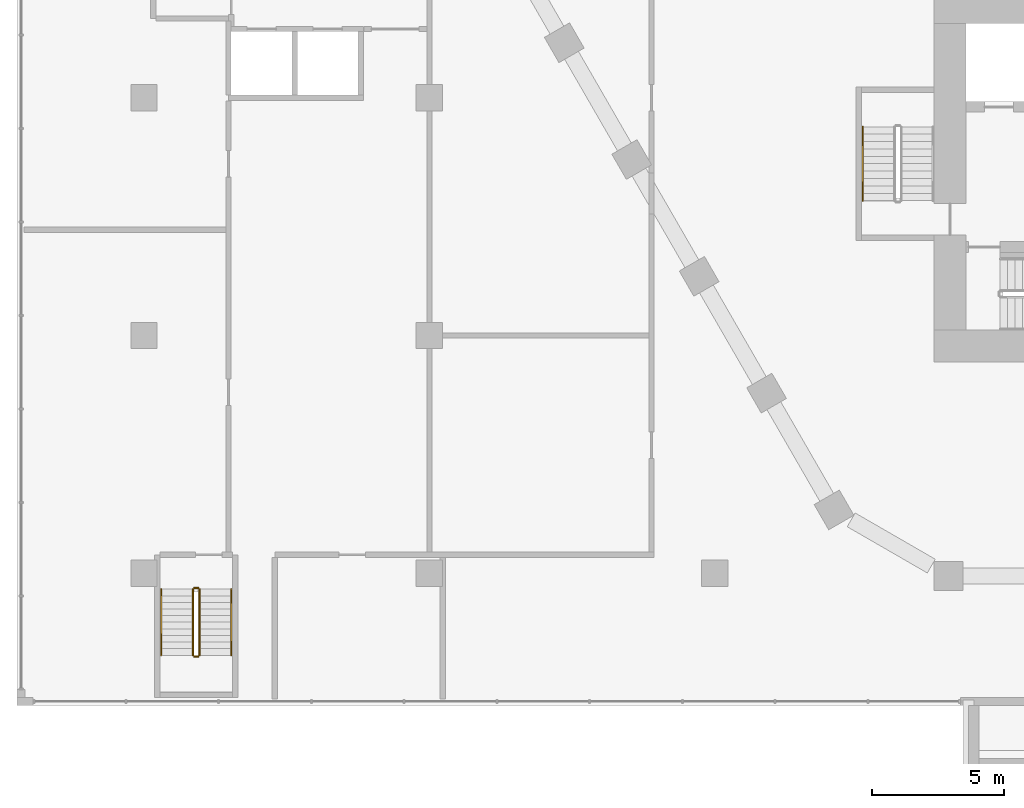
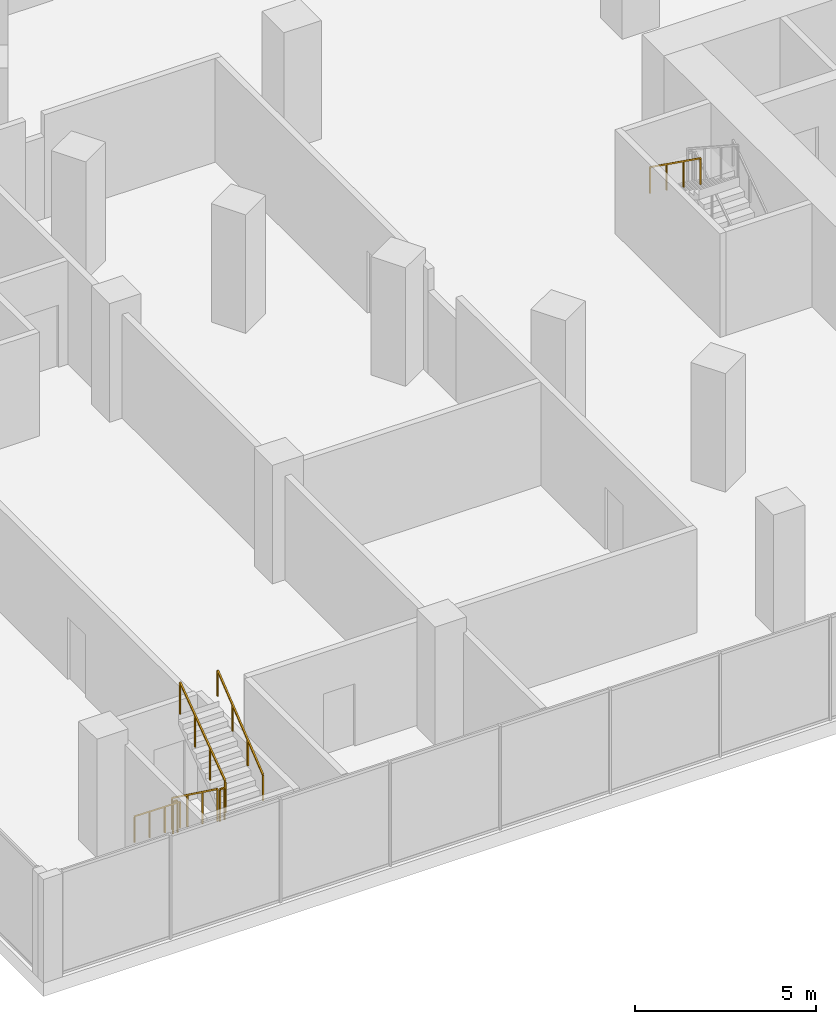
# One storey, part 39 of 45: 7 railings.
"""IFC4 building model written with IfcOpenShell, lengths in metres."""

from ifc_helpers import new_model, si_unit, direction, frame, origin, origin_2d, place, context, subcontext, project, spatial, rectangle, extrude, material, type_object, element, save


model = new_model("IFC4")

# Units and contexts
model_context = context("Model", 3, precision=1e-05, world=origin(), true_north=direction((0.0, 1.0)))
body_context = subcontext(model_context, "Body", "Model", "MODEL_VIEW")
ifc_project = project(units=[si_unit("LENGTHUNIT", "METRE"), si_unit("AREAUNIT", "SQUARE_METRE"), si_unit("VOLUMEUNIT", "CUBIC_METRE"), si_unit("PLANEANGLEUNIT", "RADIAN"), si_unit("MASSUNIT", "GRAM", prefix="KILO")], contexts=[model_context])

# Site, building, storey
site_placement = place(None, origin())
site = spatial("IfcSite", under=ifc_project, at=site_placement, CompositionType="ELEMENT")
building_placement = place(site_placement, origin())
building = spatial("IfcBuilding", under=site, at=building_placement, Name="Beryl Residences", CompositionType="ELEMENT")
storey_placement = place(building_placement, frame((0.0, 0.0, 5.0)))
storey = spatial("IfcBuildingStorey", under=building, at=storey_placement, Name="L01", CompositionType="ELEMENT", Elevation=5.0)

# Railings
ifc_material_1 = material(Name="Stainless steel balustrade with glass infill", Category="steel")
railing_type_1 = type_object("IfcRailingType", Name="SG1 stair guard 1100 mm", PredefinedType="GUARDRAIL", material=ifc_material_1)
railing_1_placement = place(storey_placement, frame((-41.35009765625, -27.60009765625, 0.181884765625)))
element("IfcRailing", 1, at=railing_1_placement, inside=storey, type_object=railing_type_1, Name="L01 PS-4 stair guard 1", PredefinedType="GUARDRAIL", context=body_context, shape_type="SweptSolid", body=[
    extrude(rectangle(XDim=0.048095703125, YDim=0.048095703125, at=origin_2d()), frame((0.0, 0.0, 1.076171875), z_axis=(0.0, -0.808746330122, 0.588157609416), x_axis=(1.0, 0.0, 0.0)), (0.0, 0.0, 1.0), 3.09130859375),
    extrude(rectangle(XDim=0.0419921875, YDim=0.0419921875, at=origin_2d()), origin(), (0.0, 0.0, 1.0), 1.052001953125),
    extrude(rectangle(XDim=0.0419921875, YDim=0.0419921875, at=origin_2d()), frame((0.0, -0.833251953125, 0.60595703125)), (0.0, 0.0, 1.0), 1.052001953125),
    extrude(rectangle(XDim=0.0419921875, YDim=0.0419921875, at=origin_2d()), frame((0.0, -1.666748046875, 1.212158203125)), (0.0, 0.0, 1.0), 1.052001953125),
    extrude(rectangle(XDim=0.0419921875, YDim=0.0419921875, at=origin_2d()), frame((0.0, -2.5, 1.818115234375)), (0.0, 0.0, 1.0), 1.052001953125),
])
railing_2_placement = place(storey_placement, frame((-41.300048828125, -30.14990234375, 2.0)))
element("IfcRailing", 2, at=railing_2_placement, inside=storey, type_object=railing_type_1, Name="L01 PS-4 stair guard 2", PredefinedType="GUARDRAIL", context=body_context, shape_type="SweptSolid", body=[
    extrude(rectangle(XDim=0.048095703125, YDim=0.048095703125, at=origin_2d()), frame((0.0, 0.0, 1.076171875), z_axis=(1.0, 0.0, 0.0), x_axis=(0.0, 1.0, 0.0)), (0.0, 0.0, 1.0), 0.150146484375),
    extrude(rectangle(XDim=0.0419921875, YDim=0.0419921875, at=origin_2d()), origin(), (0.0, 0.0, 1.0), 1.052001953125),
    extrude(rectangle(XDim=0.0419921875, YDim=0.0419921875, at=origin_2d()), frame((0.150146484375, 0.0, 0.0)), (0.0, 0.0, 1.0), 1.052001953125),
])
railing_3_placement = place(storey_placement, frame((-41.10009765625, -30.10009765625, 2.181884765625)))
element("IfcRailing", 3, at=railing_3_placement, inside=storey, type_object=railing_type_1, Name="L01 PS-4 stair guard 3", PredefinedType="GUARDRAIL", context=body_context, shape_type="SweptSolid", body=[
    extrude(rectangle(XDim=0.048095703125, YDim=0.048095703125, at=origin_2d()), frame((0.0, 0.0, 1.076171875), z_axis=(0.0, 0.808746330122, 0.588157609416), x_axis=(-1.0, 0.0, 0.0)), (0.0, 0.0, 1.0), 3.09130859375),
    extrude(rectangle(XDim=0.0419921875, YDim=0.0419921875, at=origin_2d()), origin(), (0.0, 0.0, 1.0), 1.052001953125),
    extrude(rectangle(XDim=0.0419921875, YDim=0.0419921875, at=origin_2d()), frame((0.0, 0.833251953125, 0.60595703125)), (0.0, 0.0, 1.0), 1.052001953125),
    extrude(rectangle(XDim=0.0419921875, YDim=0.0419921875, at=origin_2d()), frame((0.0, 1.666748046875, 1.212158203125)), (0.0, 0.0, 1.0), 1.052001953125),
    extrude(rectangle(XDim=0.0419921875, YDim=0.0419921875, at=origin_2d()), frame((0.0, 2.5, 1.818115234375)), (0.0, 0.0, 1.0), 1.052001953125),
])
railing_4_placement = place(storey_placement, frame((-41.300048828125, -27.550048828125, 0.0)))
element("IfcRailing", 4, at=railing_4_placement, inside=storey, type_object=railing_type_1, Name="L01 PS-4 stair guard 4", PredefinedType="GUARDRAIL", context=body_context, shape_type="SweptSolid", body=[
    extrude(rectangle(XDim=0.048095703125, YDim=0.048095703125, at=origin_2d()), frame((0.0, 0.0, 1.076171875), z_axis=(1.0, 0.0, 0.0), x_axis=(0.0, 1.0, 0.0)), (0.0, 0.0, 1.0), 0.150146484375),
    extrude(rectangle(XDim=0.0419921875, YDim=0.0419921875, at=origin_2d()), origin(), (0.0, 0.0, 1.0), 1.052001953125),
    extrude(rectangle(XDim=0.0419921875, YDim=0.0419921875, at=origin_2d()), frame((0.150146484375, 0.0, 0.0)), (0.0, 0.0, 1.0), 1.052001953125),
])
ifc_material_2 = material(Name="Stainless steel handrail", Category="steel")
railing_type_2 = type_object("IfcRailingType", Name="SRL1 stair handrail 900 mm", PredefinedType="HANDRAIL", material=ifc_material_2)
railing_5_placement = place(storey_placement, frame((-42.550048828125, -27.60009765625, 0.181884765625)))
element("IfcRailing", 5, at=railing_5_placement, inside=storey, type_object=railing_type_2, Name="L01 PS-4 stair handrail 1", PredefinedType="HANDRAIL", context=body_context, shape_type="SweptSolid", body=[
    extrude(rectangle(XDim=0.048095703125, YDim=0.048095703125, at=origin_2d()), frame((0.0, 0.0, 0.8759765625), z_axis=(0.0, -0.780868809443, 0.624695047554), x_axis=(1.0, 0.0, 0.0)), (0.0, 0.0, 1.0), 3.20166015625),
    extrude(rectangle(XDim=0.0419921875, YDim=0.0419921875, at=origin_2d()), origin(), (0.0, 0.0, 1.0), 0.851806640625),
    extrude(rectangle(XDim=0.0419921875, YDim=0.0419921875, at=origin_2d()), frame((0.0, -0.833251953125, 0.666748046875)), (0.0, 0.0, 1.0), 0.851806640625),
    extrude(rectangle(XDim=0.0419921875, YDim=0.0419921875, at=origin_2d()), frame((0.0, -1.666748046875, 1.333251953125)), (0.0, 0.0, 1.0), 0.851806640625),
    extrude(rectangle(XDim=0.0419921875, YDim=0.0419921875, at=origin_2d()), frame((0.0, -2.5, 2.0)), (0.0, 0.0, 1.0), 0.851806640625),
])
railing_6_placement = place(storey_placement, frame((-39.89990234375, -30.10009765625, 2.181884765625)))
element("IfcRailing", 6, at=railing_6_placement, inside=storey, type_object=railing_type_2, Name="L01 PS-4 stair handrail 2", PredefinedType="HANDRAIL", context=body_context, shape_type="SweptSolid", body=[
    extrude(rectangle(XDim=0.048095703125, YDim=0.048095703125, at=origin_2d()), frame((0.0, 0.0, 0.8759765625), z_axis=(0.0, 0.780868809443, 0.624695047554), x_axis=(-1.0, 0.0, 0.0)), (0.0, 0.0, 1.0), 3.20166015625),
    extrude(rectangle(XDim=0.0419921875, YDim=0.0419921875, at=origin_2d()), origin(), (0.0, 0.0, 1.0), 0.851806640625),
    extrude(rectangle(XDim=0.0419921875, YDim=0.0419921875, at=origin_2d()), frame((0.0, 0.833251953125, 0.666748046875)), (0.0, 0.0, 1.0), 0.851806640625),
    extrude(rectangle(XDim=0.0419921875, YDim=0.0419921875, at=origin_2d()), frame((0.0, 1.666748046875, 1.333251953125)), (0.0, 0.0, 1.0), 0.851806640625),
    extrude(rectangle(XDim=0.0419921875, YDim=0.0419921875, at=origin_2d()), frame((0.0, 2.5, 2.0)), (0.0, 0.0, 1.0), 0.851806640625),
])
railing_7_placement = place(storey_placement, frame((-16.0, -10.10009765625, 2.181884765625)))
element("IfcRailing", 7, at=railing_7_placement, inside=storey, type_object=railing_type_2, Name="L01 ST-2 stair handrail 2", PredefinedType="HANDRAIL", context=body_context, shape_type="SweptSolid", body=[
    extrude(rectangle(XDim=0.048095703125, YDim=0.048095703125, at=origin_2d()), frame((0.0, 0.0, 0.8759765625), z_axis=(0.0, -0.813714293681, 0.581265041318), x_axis=(1.0, 0.0, 0.0)), (0.0, 0.0, 1.0), 3.440673828125),
    extrude(rectangle(XDim=0.0419921875, YDim=0.0419921875, at=origin_2d()), origin(), (0.0, 0.0, 1.0), 0.851806640625),
    extrude(rectangle(XDim=0.0419921875, YDim=0.0419921875, at=origin_2d()), frame((0.0, -0.933349609375, 0.666748046875)), (0.0, 0.0, 1.0), 0.851806640625),
    extrude(rectangle(XDim=0.0419921875, YDim=0.0419921875, at=origin_2d()), frame((0.0, -1.866455078125, 1.333251953125)), (0.0, 0.0, 1.0), 0.851806640625),
    extrude(rectangle(XDim=0.0419921875, YDim=0.0419921875, at=origin_2d()), frame((0.0, -2.7998046875, 2.0)), (0.0, 0.0, 1.0), 0.851806640625),
])

save(model, "model.ifc")
